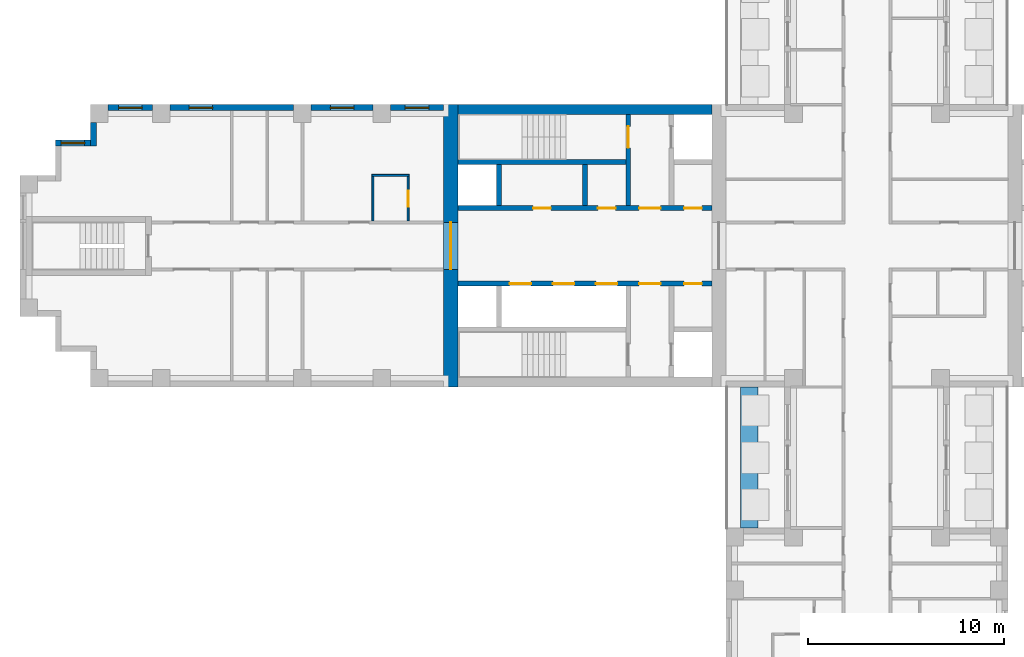
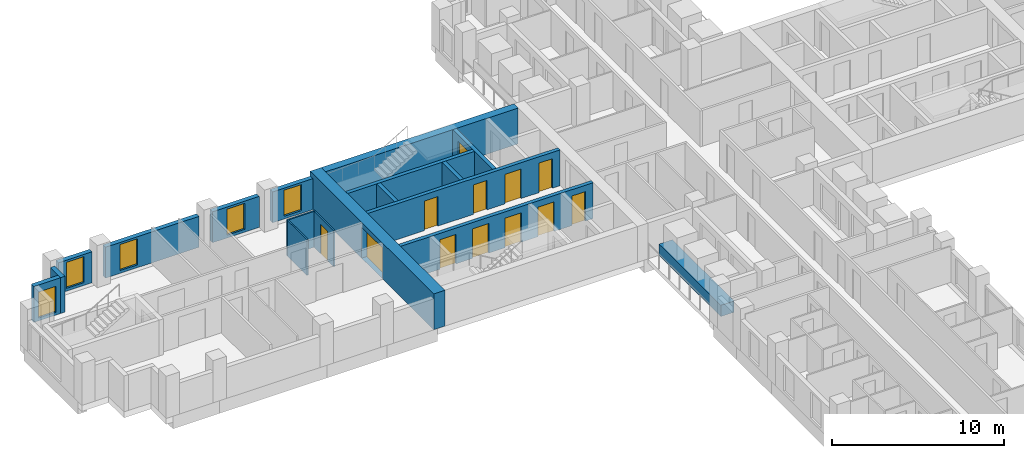
# One storey, part 6 of 13: 18 walls, 12 doors, 5 windows, 17 openings.
"""IFC4 building model written with IfcOpenShell, lengths in metres."""

from ifc_helpers import new_model, si_unit, direction, frame, frame_2d, origin, place, context, subcontext, project, spatial, rectangle, extrude, material, layer, layer_set, type_object, element, fill, save


model = new_model("IFC4")

# Units and contexts
model_context = context("Model", 3, precision=1e-05, world=origin(), true_north=direction((0.0, 1.0)))
body_context = subcontext(model_context, "Body", "Model", "MODEL_VIEW")
ifc_project = project(units=[si_unit("LENGTHUNIT", "METRE"), si_unit("AREAUNIT", "SQUARE_METRE"), si_unit("VOLUMEUNIT", "CUBIC_METRE"), si_unit("PLANEANGLEUNIT", "RADIAN"), si_unit("MASSUNIT", "GRAM", prefix="KILO")], contexts=[model_context])

# Site, building, storey
site_placement = place(None, origin())
site = spatial("IfcSite", under=ifc_project, at=site_placement, CompositionType="ELEMENT")
building_placement = place(site_placement, origin())
building = spatial("IfcBuilding", under=site, at=building_placement, Name="Fustian Cross Tower", CompositionType="ELEMENT")
storey_placement = place(building_placement, frame((0.0, 0.0, 108.89990234375)))
storey = spatial("IfcBuildingStorey", under=building, at=storey_placement, Name="L34", CompositionType="ELEMENT", Elevation=108.89990234375)

# Wall, opening, door
ifc_material_1 = material(Name="Concrete C70/85", Category="concrete")
ifc_layer_1 = layer(ifc_material_1, 0.75)
ifc_layer_set_1 = layer_set([ifc_layer_1], Name="Concrete C70/85")
wall_type_1 = type_object("IfcWallType", Name="CORE END WALL 750 C70/85", PredefinedType="SHEAR", material=ifc_layer_set_1)
wall_1_placement = place(storey_placement, frame((-21.22509765625, -7.199951171875, 0.0), z_axis=(0.0, 0.0, 1.0), x_axis=(0.0, 1.0, 0.0)))
wall_1 = element("IfcWall", 1, at=wall_1_placement, inside=storey, type_object=wall_type_1, Name="Core end wall", PredefinedType="SHEAR", context=body_context, shape_type="SweptSolid", body=[
    extrude(rectangle(XDim=14.39990234375, YDim=0.75, at=frame_2d((7.199951171875, 0.0))), origin(), (0.0, 0.0, 1.0), 2.550048828125),
])
opening_1_placement = place(wall_1_placement, frame((6.0, 0.0, 0.0)))
opening_1 = element("IfcOpeningElement", 2, at=opening_1_placement, cuts=wall_1, Name="Opening CD-12-28", PredefinedType="OPENING", context=body_context, shape_type="SweptSolid", body=[
    extrude(rectangle(XDim=2.39990234375, YDim=2.199951171875, at=frame_2d((1.199951171875, 1.10009765625))), frame((0.0, 0.385009765625, 0.0), z_axis=(0.0, -1.0, 0.0), x_axis=(1.0, 0.0, 0.0)), (0.0, 0.0, 1.0), 0.77001953125),
])
ifc_material_2 = material(Name="Steel", Category="steel")
door_type_1 = type_object("IfcDoorType", Name="FIRE DOOR FD30S DOUBLE 2400X2200", OperationType="DOUBLE_DOOR_DOUBLE_SWING", PredefinedType="DOOR", material=ifc_material_2)
door_1_placement = place(opening_1_placement, frame((2.39990234375, 0.0, 0.0), z_axis=(0.0, 0.0, 1.0), x_axis=(-1.0, 0.0, 0.0)))
door_1 = element("IfcDoor", 3, at=door_1_placement, inside=storey, type_object=door_type_1, Name="Core door CD-12-28", OperationType="DOUBLE_DOOR_DOUBLE_SWING", OverallHeight=2.199951171875, OverallWidth=2.39990234375, PredefinedType="DOOR", context=body_context, shape_type="SweptSolid", body=[
    extrude(rectangle(XDim=2.39990234375, YDim=2.199951171875, at=frame_2d((1.199951171875, 1.10009765625))), frame((0.0, 0.02490234375, 0.0), z_axis=(0.0, -1.0, 0.0), x_axis=(1.0, 0.0, 0.0)), (0.0, 0.0, 1.0), 0.050048828125),
])
fill(opening_1, door_1)

# Wall
ifc_material_3 = material(Name="Concrete C70/85", Category="concrete")
ifc_layer_2 = layer(ifc_material_3, 0.5)
ifc_layer_set_2 = layer_set([ifc_layer_2], Name="Concrete C70/85")
wall_type_2 = type_object("IfcWallType", Name="CORE FACADE WALL 500 C70/85", PredefinedType="SHEAR", material=ifc_layer_set_2)
wall_2_placement = place(storey_placement, frame((-7.89990234375, 6.949951171875, 0.0), z_axis=(0.0, 0.0, 1.0), x_axis=(-1.0, 0.0, 0.0)))
element("IfcWall", 4, at=wall_2_placement, inside=storey, type_object=wall_type_2, Name="Core facade wall", PredefinedType="SHEAR", context=body_context, shape_type="SweptSolid", body=[
    extrude(rectangle(XDim=12.9501953125, YDim=0.5, at=frame_2d((6.47509765625, 0.0))), origin(), (0.0, 0.0, 1.0), 2.550048828125),
])

# Wall, openings, doors
ifc_material_4 = material(Name="Concrete C50/60", Category="concrete")
ifc_layer_3 = layer(ifc_material_4, 0.25)
ifc_layer_set_3 = layer_set([ifc_layer_3], Name="Concrete C50/60")
wall_type_3 = type_object("IfcWallType", Name="CORE LOBBY WALL 250 C50/60", PredefinedType="SHEAR", material=ifc_layer_set_3)
wall_3_placement = place(storey_placement, frame((-7.89990234375, 1.925048828125, 0.0), z_axis=(0.0, 0.0, 1.0), x_axis=(-1.0, 0.0, 0.0)))
wall_3 = element("IfcWall", 5, at=wall_3_placement, inside=storey, type_object=wall_type_3, Name="Core lobby wall", PredefinedType="SHEAR", context=body_context, shape_type="SweptSolid", body=[
    extrude(rectangle(XDim=12.9501953125, YDim=0.25, at=frame_2d((6.47509765625, 0.0))), origin(), (0.0, 0.0, 1.0), 2.550048828125),
])
opening_2_placement = place(wall_3_placement, frame((0.52490234375, 0.0, 0.0)))
opening_2 = element("IfcOpeningElement", 6, at=opening_2_placement, cuts=wall_3, Name="Opening CD-12-23", PredefinedType="OPENING", context=body_context, shape_type="SweptSolid", body=[
    extrude(rectangle(XDim=0.89990234375, YDim=2.10009765625, at=frame_2d((0.449951171875, 1.050048828125))), frame((0.0, 0.135009765625, 0.0), z_axis=(0.0, -1.0, 0.0), x_axis=(1.0, 0.0, 0.0)), (0.0, 0.0, 1.0), 0.27001953125),
])
opening_3_placement = place(wall_3_placement, frame((2.625, 0.0, 0.0)))
opening_3 = element("IfcOpeningElement", 7, at=opening_3_placement, cuts=wall_3, Name="Opening CD-12-25", PredefinedType="OPENING", context=body_context, shape_type="SweptSolid", body=[
    extrude(rectangle(XDim=1.10009765625, YDim=2.10009765625, at=frame_2d((0.550048828125, 1.050048828125))), frame((0.0, 0.135009765625, 0.0), z_axis=(0.0, -1.0, 0.0), x_axis=(1.0, 0.0, 0.0)), (0.0, 0.0, 1.0), 0.27001953125),
])
opening_4_placement = place(wall_3_placement, frame((4.925048828125, 0.0, 0.0)))
opening_4 = element("IfcOpeningElement", 8, at=opening_4_placement, cuts=wall_3, Name="Opening CD-12-29", PredefinedType="OPENING", context=body_context, shape_type="SweptSolid", body=[
    extrude(rectangle(XDim=0.89990234375, YDim=2.10009765625, at=frame_2d((0.449951171875, 1.050048828125))), frame((0.0, 0.135009765625, 0.0), z_axis=(0.0, -1.0, 0.0), x_axis=(1.0, 0.0, 0.0)), (0.0, 0.0, 1.0), 0.27001953125),
])
opening_5_placement = place(wall_3_placement, frame((8.22509765625, 0.0, 0.0)))
opening_5 = element("IfcOpeningElement", 9, at=opening_5_placement, cuts=wall_3, Name="Opening CD-12-30", PredefinedType="OPENING", context=body_context, shape_type="SweptSolid", body=[
    extrude(rectangle(XDim=0.89990234375, YDim=2.10009765625, at=frame_2d((0.449951171875, 1.050048828125))), frame((0.0, 0.135009765625, 0.0), z_axis=(0.0, -1.0, 0.0), x_axis=(1.0, 0.0, 0.0)), (0.0, 0.0, 1.0), 0.27001953125),
])
ifc_material_5 = material(Name="Steel", Category="steel")
door_type_2 = type_object("IfcDoorType", Name="FIRE DOOR FD30S 900X2100", OperationType="SINGLE_SWING_LEFT", PredefinedType="DOOR", material=ifc_material_5)
door_2_placement = place(opening_4_placement, frame((0.89990234375, 0.0, 0.0), z_axis=(0.0, 0.0, 1.0), x_axis=(-1.0, 0.0, 0.0)))
door_2 = element("IfcDoor", 10, at=door_2_placement, inside=storey, type_object=door_type_2, Name="Core door CD-12-29", OperationType="SINGLE_SWING_RIGHT", OverallHeight=2.10009765625, OverallWidth=0.89990234375, PredefinedType="DOOR", context=body_context, shape_type="SweptSolid", body=[
    extrude(rectangle(XDim=0.89990234375, YDim=2.10009765625, at=frame_2d((0.449951171875, 1.050048828125))), frame((0.0, 0.02490234375, 0.0), z_axis=(0.0, -1.0, 0.0), x_axis=(1.0, 0.0, 0.0)), (0.0, 0.0, 1.0), 0.050048828125),
])
fill(opening_4, door_2)
door_3_placement = place(opening_5_placement, frame((0.89990234375, 0.0, 0.0), z_axis=(0.0, 0.0, 1.0), x_axis=(-1.0, 0.0, 0.0)))
door_3 = element("IfcDoor", 11, at=door_3_placement, inside=storey, type_object=door_type_2, Name="Core door CD-12-30", OperationType="SINGLE_SWING_LEFT", OverallHeight=2.10009765625, OverallWidth=0.89990234375, PredefinedType="DOOR", context=body_context, shape_type="SweptSolid", body=[
    extrude(rectangle(XDim=0.89990234375, YDim=2.10009765625, at=frame_2d((0.449951171875, 1.050048828125))), frame((0.0, 0.02490234375, 0.0), z_axis=(0.0, -1.0, 0.0), x_axis=(1.0, 0.0, 0.0)), (0.0, 0.0, 1.0), 0.050048828125),
])
fill(opening_5, door_3)
ifc_material_6 = material(Name="Steel", Category="steel")
door_type_3 = type_object("IfcDoorType", Name="FIRE DOOR FD60S 1100X2100", OperationType="SINGLE_SWING_LEFT", PredefinedType="DOOR", material=ifc_material_6)
door_4_placement = place(opening_3_placement, frame((1.10009765625, 0.0, 0.0), z_axis=(0.0, 0.0, 1.0), x_axis=(-1.0, 0.0, 0.0)))
door_4 = element("IfcDoor", 12, at=door_4_placement, inside=storey, type_object=door_type_3, Name="Core door CD-12-25", OperationType="SINGLE_SWING_RIGHT", OverallHeight=2.10009765625, OverallWidth=1.10009765625, PredefinedType="DOOR", context=body_context, shape_type="SweptSolid", body=[
    extrude(rectangle(XDim=1.10009765625, YDim=2.10009765625, at=frame_2d((0.550048828125, 1.050048828125))), frame((0.0, 0.02490234375, 0.0), z_axis=(0.0, -1.0, 0.0), x_axis=(1.0, 0.0, 0.0)), (0.0, 0.0, 1.0), 0.050048828125),
])
fill(opening_3, door_4)
ifc_material_7 = material(Name="Steel", Category="steel")
door_type_4 = type_object("IfcDoorType", Name="FIRE DOOR FD60S 900X2100", OperationType="SINGLE_SWING_LEFT", PredefinedType="DOOR", material=ifc_material_7)
door_5_placement = place(opening_2_placement, frame((0.89990234375, 0.0, 0.0), z_axis=(0.0, 0.0, 1.0), x_axis=(-1.0, 0.0, 0.0)))
door_5 = element("IfcDoor", 13, at=door_5_placement, inside=storey, type_object=door_type_4, Name="Core door CD-12-23", OperationType="SINGLE_SWING_RIGHT", OverallHeight=2.10009765625, OverallWidth=0.89990234375, PredefinedType="DOOR", context=body_context, shape_type="SweptSolid", body=[
    extrude(rectangle(XDim=0.89990234375, YDim=2.10009765625, at=frame_2d((0.449951171875, 1.050048828125))), frame((0.0, 0.02490234375, 0.0), z_axis=(0.0, -1.0, 0.0), x_axis=(1.0, 0.0, 0.0)), (0.0, 0.0, 1.0), 0.050048828125),
])
fill(opening_2, door_5)

wall_4_placement = place(storey_placement, frame((-7.89990234375, -1.925048828125, 0.0), z_axis=(0.0, 0.0, 1.0), x_axis=(-1.0, 0.0, 0.0)))
wall_4 = element("IfcWall", 14, at=wall_4_placement, inside=storey, type_object=wall_type_3, Name="Core lobby wall", PredefinedType="SHEAR", context=body_context, shape_type="SweptSolid", body=[
    extrude(rectangle(XDim=12.9501953125, YDim=0.25, at=frame_2d((6.47509765625, 0.0))), origin(), (0.0, 0.0, 1.0), 2.550048828125),
])
opening_6_placement = place(wall_4_placement, frame((4.824951171875, 0.0, 0.0)))
opening_6 = element("IfcOpeningElement", 15, at=opening_6_placement, cuts=wall_4, Name="Opening LD", PredefinedType="OPENING", context=body_context, shape_type="SweptSolid", body=[
    extrude(rectangle(XDim=1.10009765625, YDim=2.10009765625, at=frame_2d((0.550048828125, 1.050048828125))), frame((0.0, 0.135009765625, 0.0), z_axis=(0.0, -1.0, 0.0), x_axis=(1.0, 0.0, 0.0)), (0.0, 0.0, 1.0), 0.27001953125),
])
opening_7_placement = place(wall_4_placement, frame((7.02490234375, 0.0, 0.0)))
opening_7 = element("IfcOpeningElement", 16, at=opening_7_placement, cuts=wall_4, Name="Opening LD", PredefinedType="OPENING", context=body_context, shape_type="SweptSolid", body=[
    extrude(rectangle(XDim=1.10009765625, YDim=2.10009765625, at=frame_2d((0.550048828125, 1.050048828125))), frame((0.0, 0.135009765625, 0.0), z_axis=(0.0, -1.0, 0.0), x_axis=(1.0, 0.0, 0.0)), (0.0, 0.0, 1.0), 0.27001953125),
])
opening_8_placement = place(wall_4_placement, frame((9.22509765625, 0.0, 0.0)))
opening_8 = element("IfcOpeningElement", 17, at=opening_8_placement, cuts=wall_4, Name="Opening LD", PredefinedType="OPENING", context=body_context, shape_type="SweptSolid", body=[
    extrude(rectangle(XDim=1.10009765625, YDim=2.10009765625, at=frame_2d((0.550048828125, 1.050048828125))), frame((0.0, 0.135009765625, 0.0), z_axis=(0.0, -1.0, 0.0), x_axis=(1.0, 0.0, 0.0)), (0.0, 0.0, 1.0), 0.27001953125),
])
opening_9_placement = place(wall_4_placement, frame((0.52490234375, 0.0, 0.0)))
opening_9 = element("IfcOpeningElement", 18, at=opening_9_placement, cuts=wall_4, Name="Opening CD-12-24", PredefinedType="OPENING", context=body_context, shape_type="SweptSolid", body=[
    extrude(rectangle(XDim=0.89990234375, YDim=2.10009765625, at=frame_2d((0.449951171875, 1.050048828125))), frame((0.0, 0.135009765625, 0.0), z_axis=(0.0, -1.0, 0.0), x_axis=(1.0, 0.0, 0.0)), (0.0, 0.0, 1.0), 0.27001953125),
])
opening_10_placement = place(wall_4_placement, frame((2.625, 0.0, 0.0)))
opening_10 = element("IfcOpeningElement", 19, at=opening_10_placement, cuts=wall_4, Name="Opening CD-12-26", PredefinedType="OPENING", context=body_context, shape_type="SweptSolid", body=[
    extrude(rectangle(XDim=1.10009765625, YDim=2.10009765625, at=frame_2d((0.550048828125, 1.050048828125))), frame((0.0, 0.135009765625, 0.0), z_axis=(0.0, -1.0, 0.0), x_axis=(1.0, 0.0, 0.0)), (0.0, 0.0, 1.0), 0.27001953125),
])
ifc_material_8 = material(Name="Steel", Category="steel")
door_type_5 = type_object("IfcDoorType", Name="FIRE DOOR FD30S 1100X2100", OperationType="SINGLE_SWING_LEFT", PredefinedType="DOOR", material=ifc_material_8)
door_6_placement = place(opening_10_placement, frame((1.10009765625, 0.0, 0.0), z_axis=(0.0, 0.0, 1.0), x_axis=(-1.0, 0.0, 0.0)))
door_6 = element("IfcDoor", 20, at=door_6_placement, inside=storey, type_object=door_type_5, Name="Core door CD-12-26", OperationType="SINGLE_SWING_RIGHT", OverallHeight=2.10009765625, OverallWidth=1.10009765625, PredefinedType="DOOR", context=body_context, shape_type="SweptSolid", body=[
    extrude(rectangle(XDim=1.10009765625, YDim=2.10009765625, at=frame_2d((0.550048828125, 1.050048828125))), frame((0.0, 0.02490234375, 0.0), z_axis=(0.0, -1.0, 0.0), x_axis=(1.0, 0.0, 0.0)), (0.0, 0.0, 1.0), 0.050048828125),
])
fill(opening_10, door_6)
door_7_placement = place(opening_9_placement, origin())
door_7 = element("IfcDoor", 21, at=door_7_placement, inside=storey, type_object=door_type_2, Name="Core door CD-12-24", OperationType="SINGLE_SWING_LEFT", OverallHeight=2.10009765625, OverallWidth=0.89990234375, PredefinedType="DOOR", context=body_context, shape_type="SweptSolid", body=[
    extrude(rectangle(XDim=0.89990234375, YDim=2.10009765625, at=frame_2d((0.449951171875, 1.050048828125))), frame((0.0, 0.02490234375, 0.0), z_axis=(0.0, -1.0, 0.0), x_axis=(1.0, 0.0, 0.0)), (0.0, 0.0, 1.0), 0.050048828125),
])
fill(opening_9, door_7)
ifc_material_9 = material(Name="Stainless steel", Category="steel")
door_type_6 = type_object("IfcDoorType", Name="LIFT LANDING DOOR 1100X2100", OperationType="SLIDING_TO_LEFT", PredefinedType="DOOR", material=ifc_material_9)
door_8_placement = place(opening_6_placement, origin())
door_8 = element("IfcDoor", 22, at=door_8_placement, inside=storey, type_object=door_type_6, Name="Landing door LR1W", OperationType="SLIDING_TO_LEFT", OverallHeight=2.10009765625, OverallWidth=1.10009765625, PredefinedType="DOOR", context=body_context, shape_type="SweptSolid", body=[
    extrude(rectangle(XDim=1.10009765625, YDim=2.10009765625, at=frame_2d((0.550048828125, 1.050048828125))), frame((0.0, 0.02490234375, 0.0), z_axis=(0.0, -1.0, 0.0), x_axis=(1.0, 0.0, 0.0)), (0.0, 0.0, 1.0), 0.050048828125),
])
fill(opening_6, door_8)
door_9_placement = place(opening_7_placement, origin())
door_9 = element("IfcDoor", 23, at=door_9_placement, inside=storey, type_object=door_type_6, Name="Landing door LR2W", OperationType="SLIDING_TO_LEFT", OverallHeight=2.10009765625, OverallWidth=1.10009765625, PredefinedType="DOOR", context=body_context, shape_type="SweptSolid", body=[
    extrude(rectangle(XDim=1.10009765625, YDim=2.10009765625, at=frame_2d((0.550048828125, 1.050048828125))), frame((0.0, 0.02490234375, 0.0), z_axis=(0.0, -1.0, 0.0), x_axis=(1.0, 0.0, 0.0)), (0.0, 0.0, 1.0), 0.050048828125),
])
fill(opening_7, door_9)
door_10_placement = place(opening_8_placement, origin())
door_10 = element("IfcDoor", 24, at=door_10_placement, inside=storey, type_object=door_type_6, Name="Landing door LR3W", OperationType="SLIDING_TO_LEFT", OverallHeight=2.10009765625, OverallWidth=1.10009765625, PredefinedType="DOOR", context=body_context, shape_type="SweptSolid", body=[
    extrude(rectangle(XDim=1.10009765625, YDim=2.10009765625, at=frame_2d((0.550048828125, 1.050048828125))), frame((0.0, 0.02490234375, 0.0), z_axis=(0.0, -1.0, 0.0), x_axis=(1.0, 0.0, 0.0)), (0.0, 0.0, 1.0), 0.050048828125),
])
fill(opening_8, door_10)

# Wall
ifc_material_10 = material(Name="Concrete C50/60", Category="concrete")
ifc_layer_4 = layer(ifc_material_10, 0.25)
ifc_layer_set_4 = layer_set([ifc_layer_4], Name="Concrete C50/60")
wall_type_4 = type_object("IfcWallType", Name="CORE SHAFT WALL 250 C50/60", PredefinedType="SHEAR", material=ifc_layer_set_4)
wall_5_placement = place(storey_placement, frame((-12.300048828125, 4.27490234375, 0.0), z_axis=(0.0, 0.0, 1.0), x_axis=(-1.0, 0.0, 0.0)))
element("IfcWall", 25, at=wall_5_placement, inside=storey, type_object=wall_type_4, Name="Core shaft wall", PredefinedType="SHEAR", context=body_context, shape_type="SweptSolid", body=[
    extrude(rectangle(XDim=8.550048828125, YDim=0.25, at=frame_2d((4.27490234375, 0.0))), origin(), (0.0, 0.0, 1.0), 2.550048828125),
])

# Wall, opening, door
wall_6_placement = place(storey_placement, frame((-12.175048828125, 2.050048828125, 0.0), z_axis=(0.0, 0.0, 1.0), x_axis=(0.0, 1.0, 0.0)))
wall_6 = element("IfcWall", 26, at=wall_6_placement, inside=storey, type_object=wall_type_4, Name="Core shaft wall", PredefinedType="SHEAR", context=body_context, shape_type="SweptSolid", body=[
    extrude(rectangle(XDim=4.64990234375, YDim=0.25, at=frame_2d((2.324951171875, 0.0))), origin(), (0.0, 0.0, 1.0), 2.550048828125),
])
opening_11_placement = place(wall_6_placement, frame((2.949951171875, 0.0, 0.0)))
opening_11 = element("IfcOpeningElement", 27, at=opening_11_placement, cuts=wall_6, Name="Opening CD-12-21", PredefinedType="OPENING", context=body_context, shape_type="SweptSolid", body=[
    extrude(rectangle(XDim=1.10009765625, YDim=2.10009765625, at=frame_2d((0.550048828125, 1.050048828125))), frame((0.0, 0.135009765625, 0.0), z_axis=(0.0, -1.0, 0.0), x_axis=(1.0, 0.0, 0.0)), (0.0, 0.0, 1.0), 0.27001953125),
])
door_11_placement = place(opening_11_placement, origin())
door_11 = element("IfcDoor", 28, at=door_11_placement, inside=storey, type_object=door_type_3, Name="Core door CD-12-21", OperationType="SINGLE_SWING_LEFT", OverallHeight=2.10009765625, OverallWidth=1.10009765625, PredefinedType="DOOR", context=body_context, shape_type="SweptSolid", body=[
    extrude(rectangle(XDim=1.10009765625, YDim=2.10009765625, at=frame_2d((0.550048828125, 1.050048828125))), frame((0.0, 0.02490234375, 0.0), z_axis=(0.0, -1.0, 0.0), x_axis=(1.0, 0.0, 0.0)), (0.0, 0.0, 1.0), 0.050048828125),
])
fill(opening_11, door_11)

# Walls
ifc_material_11 = material(Name="Plasterboard on steel stud", Category="steel")
ifc_layer_5 = layer(ifc_material_11, 0.10009765625)
ifc_layer_set_5 = layer_set([ifc_layer_5], Name="Plasterboard on steel stud")
wall_type_5 = type_object("IfcWallType", Name="PARTITION 100 STUD", PredefinedType="PARTITIONING", material=ifc_layer_set_5)
wall_7_placement = place(storey_placement, frame((-25.199951171875, 1.27490234375, 0.0), z_axis=(0.0, 0.0, 1.0), x_axis=(0.0, 1.0, 0.0)))
element("IfcWall", 29, at=wall_7_placement, inside=storey, type_object=wall_type_5, Name="Partition 9", PredefinedType="PARTITIONING", context=body_context, shape_type="SweptSolid", body=[
    extrude(rectangle(XDim=2.275146484375, YDim=0.10009765625, at=frame_2d((1.1376953125, 0.0))), origin(), (0.0, 0.0, 1.0), 2.550048828125),
])
wall_8_placement = place(storey_placement, frame((-25.25, 3.60009765625, 0.0), z_axis=(0.0, 0.0, 1.0), x_axis=(1.0, 0.0, 0.0)))
element("IfcWall", 30, at=wall_8_placement, inside=storey, type_object=wall_type_5, Name="Partition 10", PredefinedType="PARTITIONING", context=body_context, shape_type="SweptSolid", body=[
    extrude(rectangle(XDim=1.89990234375, YDim=0.10009765625, at=frame_2d((0.949951171875, 0.0))), origin(), (0.0, 0.0, 1.0), 2.550048828125),
])

# Wall, opening, door
wall_9_placement = place(storey_placement, frame((-23.39990234375, 1.27490234375, 0.0), z_axis=(0.0, 0.0, 1.0), x_axis=(0.0, 1.0, 0.0)))
wall_9 = element("IfcWall", 31, at=wall_9_placement, inside=storey, type_object=wall_type_5, Name="Partition 11", PredefinedType="PARTITIONING", context=body_context, shape_type="SweptSolid", body=[
    extrude(rectangle(XDim=2.275146484375, YDim=0.10009765625, at=frame_2d((1.1376953125, 0.0))), origin(), (0.0, 0.0, 1.0), 2.550048828125),
])
opening_12_placement = place(wall_9_placement, frame((0.72509765625, 0.0, 0.0)))
opening_12 = element("IfcOpeningElement", 32, at=opening_12_placement, cuts=wall_9, Name="Opening D15032", PredefinedType="OPENING", context=body_context, shape_type="SweptSolid", body=[
    extrude(rectangle(XDim=0.800048828125, YDim=2.10009765625, at=frame_2d((0.39990234375, 1.050048828125))), frame((0.0, 0.06005859375, 0.0), z_axis=(0.0, -1.0, 0.0), x_axis=(1.0, 0.0, 0.0)), (0.0, 0.0, 1.0), 0.1201171875),
])
ifc_material_12 = material(Name="Painted timber", Category="wood")
door_type_7 = type_object("IfcDoorType", Name="SWING DOOR 800", OperationType="SINGLE_SWING_LEFT", PredefinedType="DOOR", material=ifc_material_12)
door_12_placement = place(opening_12_placement, origin())
door_12 = element("IfcDoor", 33, at=door_12_placement, inside=storey, type_object=door_type_7, Name="Door D15032", OperationType="SINGLE_SWING_LEFT", OverallHeight=2.10009765625, OverallWidth=0.800048828125, PredefinedType="DOOR", context=body_context, shape_type="SweptSolid", body=[
    extrude(rectangle(XDim=0.800048828125, YDim=2.10009765625, at=frame_2d((0.39990234375, 1.050048828125))), frame((0.0, 0.02490234375, 0.0), z_axis=(0.0, -1.0, 0.0), x_axis=(1.0, 0.0, 0.0)), (0.0, 0.0, 1.0), 0.050048828125),
])
fill(opening_12, door_12)

# Walls
ifc_material_13 = material(Name="Concrete C40/50", Category="concrete")
ifc_layer_6 = layer(ifc_material_13, 0.89990234375)
ifc_layer_set_6 = layer_set([ifc_layer_6], Name="Concrete C40/50")
wall_type_6 = type_object("IfcWallType", Name="PK1 PLANTER 900", PredefinedType="PARAPET", material=ifc_layer_set_6)
wall_10_placement = place(storey_placement, frame((-6.0, -14.39990234375, 0.0), z_axis=(0.0, 0.0, 1.0), x_axis=(0.0, 1.0, 0.0)))
element("IfcWall", 34, at=wall_10_placement, inside=storey, type_object=wall_type_6, Name="PLANTER", PredefinedType="PARAPET", context=body_context, shape_type="SweptSolid", body=[
    extrude(rectangle(XDim=7.199951171875, YDim=0.89990234375, at=frame_2d((3.60009765625, 0.0))), origin(), (0.0, 0.0, 1.0), 0.800048828125),
])
ifc_material_14 = material(Name="Concrete C40/50", Category="concrete")
ifc_layer_7 = layer(ifc_material_14, 0.25)
ifc_layer_set_7 = layer_set([ifc_layer_7], Name="Concrete C40/50")
wall_type_7 = type_object("IfcWallType", Name="SHAFT PARTITION WALL 250 C40/50", PredefinedType="PARTITIONING", material=ifc_layer_set_7)
for number, where, z_axis, x_axis, name in (
    (35, (-14.375, 2.050048828125, 0.0), (0.0, 0.0, 1.0), (0.0, 1.0, 0.0), "Core shaft wall"),
    (36, (-18.77490234375, 2.050048828125, 0.0), (0.0, 0.0, 1.0), (0.0, 1.0, 0.0), "Core shaft wall"),
):
    element("IfcWall", number, at=place(storey_placement, frame(where, z_axis=z_axis, x_axis=x_axis)), inside=storey, type_object=wall_type_7, Name=name, PredefinedType="PARTITIONING", context=body_context, shape_type="SweptSolid", body=[
        extrude(rectangle(XDim=2.099853515625, YDim=0.25, at=frame_2d((1.0498046875, 0.0))), origin(), (0.0, 0.0, 1.0), 2.550048828125),
    ])

# Wall, opening, window
ifc_material_15 = material(Name="Dark aluminium cladding on insulated backing wall", Category="aluminium")
ifc_layer_8 = layer(ifc_material_15, 0.300048828125)
ifc_layer_set_8 = layer_set([ifc_layer_8], Name="Dark aluminium cladding on insulated backing wall")
wall_type_8 = type_object("IfcWallType", Name="XW1 EXTERNAL WALL 300", PredefinedType="SOLIDWALL", material=ifc_layer_set_8)
wall_11_placement = place(storey_placement, frame((-21.60009765625, 7.050048828125, 0.0), z_axis=(0.0, 0.0, 1.0), x_axis=(-1.0, 0.0, 0.0)))
wall_11 = element("IfcWall", 37, at=wall_11_placement, inside=storey, type_object=wall_type_8, Name="External wall", PredefinedType="SOLIDWALL", context=body_context, shape_type="SweptSolid", body=[
    extrude(rectangle(XDim=2.699951171875, YDim=0.300048828125, at=frame_2d((1.35009765625, 0.0))), origin(), (0.0, 0.0, 1.0), 2.2001953125),
])
opening_13_placement = place(wall_11_placement, frame((0.75, 0.0, 0.199951171875)))
opening_13 = element("IfcOpeningElement", 38, at=opening_13_placement, cuts=wall_11, Name="Opening WN3", PredefinedType="OPENING", context=body_context, shape_type="SweptSolid", body=[
    extrude(rectangle(XDim=1.199951171875, YDim=1.85009765625, at=frame_2d((0.60009765625, 0.925048828125))), frame((0.0, 0.159912109375, 0.0), z_axis=(0.0, -1.0, 0.0), x_axis=(1.0, 0.0, 0.0)), (0.0, 0.0, 1.0), 0.320068359375),
])
ifc_material_16 = material(Name="Dark anodised aluminium and double glazing", Category="aluminium")
window_type = type_object("IfcWindowType", Name="WN3 WINDOW 1200X1850", PartitioningType="SINGLE_PANEL", PredefinedType="WINDOW", material=ifc_material_16)
window_1_placement = place(opening_13_placement, origin())
window_1 = element("IfcWindow", 39, at=window_1_placement, inside=storey, type_object=window_type, Name="Window", OverallHeight=1.85009765625, OverallWidth=1.199951171875, PartitioningType="SINGLE_PANEL", PredefinedType="WINDOW", context=body_context, shape_type="SweptSolid", body=[
    extrude(rectangle(XDim=1.199951171875, YDim=1.85009765625, at=frame_2d((0.60009765625, 0.925048828125))), frame((0.0, 0.030029296875, 0.0), z_axis=(0.0, -1.0, 0.0), x_axis=(1.0, 0.0, 0.0)), (0.0, 0.0, 1.0), 0.06005859375),
])
fill(opening_13, window_1)

wall_12_placement = place(storey_placement, frame((-25.199951171875, 7.050048828125, 0.0), z_axis=(0.0, 0.0, 1.0), x_axis=(-1.0, 0.0, 0.0)))
wall_12 = element("IfcWall", 40, at=wall_12_placement, inside=storey, type_object=wall_type_8, Name="External wall", PredefinedType="SOLIDWALL", context=body_context, shape_type="SweptSolid", body=[
    extrude(rectangle(XDim=3.150146484375, YDim=0.300048828125, at=frame_2d((1.5751953125, 0.0))), origin(), (0.0, 0.0, 1.0), 2.2001953125),
])
opening_14_placement = place(wall_12_placement, frame((0.97509765625, 0.0, 0.199951171875)))
opening_14 = element("IfcOpeningElement", 41, at=opening_14_placement, cuts=wall_12, Name="Opening WN3", PredefinedType="OPENING", context=body_context, shape_type="SweptSolid", body=[
    extrude(rectangle(XDim=1.199951171875, YDim=1.85009765625, at=frame_2d((0.60009765625, 0.925048828125))), frame((0.0, 0.159912109375, 0.0), z_axis=(0.0, -1.0, 0.0), x_axis=(1.0, 0.0, 0.0)), (0.0, 0.0, 1.0), 0.320068359375),
])
window_2_placement = place(opening_14_placement, origin())
window_2 = element("IfcWindow", 42, at=window_2_placement, inside=storey, type_object=window_type, Name="Window", OverallHeight=1.85009765625, OverallWidth=1.199951171875, PartitioningType="SINGLE_PANEL", PredefinedType="WINDOW", context=body_context, shape_type="SweptSolid", body=[
    extrude(rectangle(XDim=1.199951171875, YDim=1.85009765625, at=frame_2d((0.60009765625, 0.925048828125))), frame((0.0, 0.030029296875, 0.0), z_axis=(0.0, -1.0, 0.0), x_axis=(1.0, 0.0, 0.0)), (0.0, 0.0, 1.0), 0.06005859375),
])
fill(opening_14, window_2)

wall_13_placement = place(storey_placement, frame((-29.25, 7.050048828125, 0.0), z_axis=(0.0, 0.0, 1.0), x_axis=(-1.0, 0.0, 0.0)))
wall_13 = element("IfcWall", 43, at=wall_13_placement, inside=storey, type_object=wall_type_8, Name="External wall", PredefinedType="SOLIDWALL", context=body_context, shape_type="SweptSolid", body=[
    extrude(rectangle(XDim=6.300048828125, YDim=0.300048828125, at=frame_2d((3.14990234375, 0.0))), origin(), (0.0, 0.0, 1.0), 2.2001953125),
])
opening_15_placement = place(wall_13_placement, frame((4.125, 0.0, 0.199951171875)))
opening_15 = element("IfcOpeningElement", 44, at=opening_15_placement, cuts=wall_13, Name="Opening WN3", PredefinedType="OPENING", context=body_context, shape_type="SweptSolid", body=[
    extrude(rectangle(XDim=1.199951171875, YDim=1.85009765625, at=frame_2d((0.60009765625, 0.925048828125))), frame((0.0, 0.159912109375, 0.0), z_axis=(0.0, -1.0, 0.0), x_axis=(1.0, 0.0, 0.0)), (0.0, 0.0, 1.0), 0.320068359375),
])
window_3_placement = place(opening_15_placement, origin())
window_3 = element("IfcWindow", 45, at=window_3_placement, inside=storey, type_object=window_type, Name="Window", OverallHeight=1.85009765625, OverallWidth=1.199951171875, PartitioningType="SINGLE_PANEL", PredefinedType="WINDOW", context=body_context, shape_type="SweptSolid", body=[
    extrude(rectangle(XDim=1.199951171875, YDim=1.85009765625, at=frame_2d((0.60009765625, 0.925048828125))), frame((0.0, 0.030029296875, 0.0), z_axis=(0.0, -1.0, 0.0), x_axis=(1.0, 0.0, 0.0)), (0.0, 0.0, 1.0), 0.06005859375),
])
fill(opening_15, window_3)

wall_14_placement = place(storey_placement, frame((-36.449951171875, 7.050048828125, 0.0), z_axis=(0.0, 0.0, 1.0), x_axis=(-1.0, 0.0, 0.0)))
wall_14 = element("IfcWall", 46, at=wall_14_placement, inside=storey, type_object=wall_type_8, Name="External wall", PredefinedType="SOLIDWALL", context=body_context, shape_type="SweptSolid", body=[
    extrude(rectangle(XDim=2.25, YDim=0.300048828125, at=frame_2d((1.125, 0.0))), origin(), (0.0, 0.0, 1.0), 2.2001953125),
])
opening_16_placement = place(wall_14_placement, frame((0.52490234375, 0.0, 0.199951171875)))
opening_16 = element("IfcOpeningElement", 47, at=opening_16_placement, cuts=wall_14, Name="Opening WN3", PredefinedType="OPENING", context=body_context, shape_type="SweptSolid", body=[
    extrude(rectangle(XDim=1.199951171875, YDim=1.85009765625, at=frame_2d((0.60009765625, 0.925048828125))), frame((0.0, 0.159912109375, 0.0), z_axis=(0.0, -1.0, 0.0), x_axis=(1.0, 0.0, 0.0)), (0.0, 0.0, 1.0), 0.320068359375),
])
window_4_placement = place(opening_16_placement, origin())
window_4 = element("IfcWindow", 48, at=window_4_placement, inside=storey, type_object=window_type, Name="Window", OverallHeight=1.85009765625, OverallWidth=1.199951171875, PartitioningType="SINGLE_PANEL", PredefinedType="WINDOW", context=body_context, shape_type="SweptSolid", body=[
    extrude(rectangle(XDim=1.199951171875, YDim=1.85009765625, at=frame_2d((0.60009765625, 0.925048828125))), frame((0.0, 0.030029296875, 0.0), z_axis=(0.0, -1.0, 0.0), x_axis=(1.0, 0.0, 0.0)), (0.0, 0.0, 1.0), 0.06005859375),
])
fill(opening_16, window_4)

# Wall
wall_15_placement = place(storey_placement, frame((-39.449951171875, 6.300048828125, 0.0), z_axis=(0.0, 0.0, 1.0), x_axis=(0.0, -1.0, 0.0)))
element("IfcWall", 49, at=wall_15_placement, inside=storey, type_object=wall_type_8, Name="External wall", PredefinedType="SOLIDWALL", context=body_context, shape_type="SweptSolid", body=[
    extrude(rectangle(XDim=1.199951171875, YDim=0.300048828125, at=frame_2d((0.60009765625, 0.0))), origin(), (0.0, 0.0, 1.0), 2.550048828125),
])

# Wall, opening, window
wall_16_placement = place(storey_placement, frame((-39.60009765625, 5.25, 0.0), z_axis=(0.0, 0.0, 1.0), x_axis=(-1.0, 0.0, 0.0)))
wall_16 = element("IfcWall", 50, at=wall_16_placement, inside=storey, type_object=wall_type_8, Name="External wall", PredefinedType="SOLIDWALL", context=body_context, shape_type="SweptSolid", body=[
    extrude(rectangle(XDim=1.7998046875, YDim=0.300048828125, at=frame_2d((0.89990234375, 0.0))), origin(), (0.0, 0.0, 1.0), 2.550048828125),
])
opening_17_placement = place(wall_16_placement, frame((0.300048828125, 0.0, 0.199951171875)))
opening_17 = element("IfcOpeningElement", 51, at=opening_17_placement, cuts=wall_16, Name="Opening WN3", PredefinedType="OPENING", context=body_context, shape_type="SweptSolid", body=[
    extrude(rectangle(XDim=1.199951171875, YDim=1.85009765625, at=frame_2d((0.60009765625, 0.925048828125))), frame((0.0, 0.159912109375, 0.0), z_axis=(0.0, -1.0, 0.0), x_axis=(1.0, 0.0, 0.0)), (0.0, 0.0, 1.0), 0.320068359375),
])
window_5_placement = place(opening_17_placement, origin())
window_5 = element("IfcWindow", 52, at=window_5_placement, inside=storey, type_object=window_type, Name="Window", OverallHeight=1.85009765625, OverallWidth=1.199951171875, PartitioningType="SINGLE_PANEL", PredefinedType="WINDOW", context=body_context, shape_type="SweptSolid", body=[
    extrude(rectangle(XDim=1.199951171875, YDim=1.85009765625, at=frame_2d((0.60009765625, 0.925048828125))), frame((0.0, 0.030029296875, 0.0), z_axis=(0.0, -1.0, 0.0), x_axis=(1.0, 0.0, 0.0)), (0.0, 0.0, 1.0), 0.06005859375),
])
fill(opening_17, window_5)

save(model, "model.ifc")
